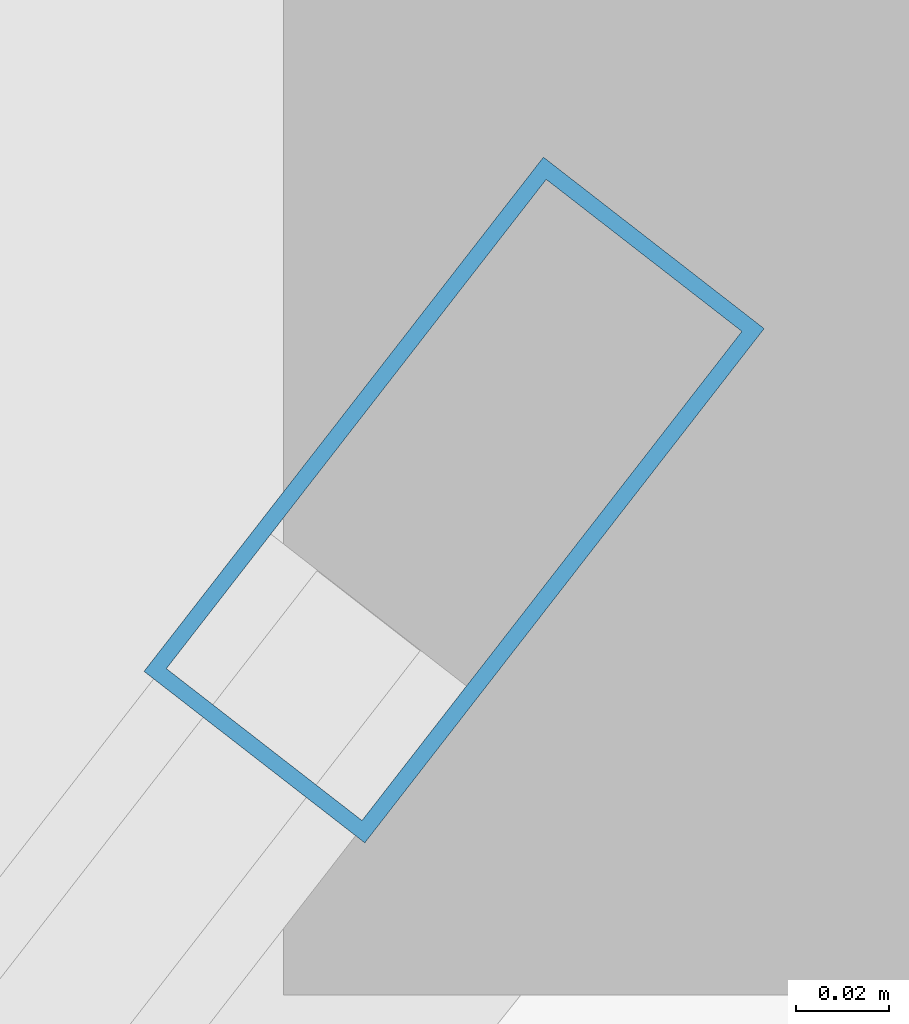
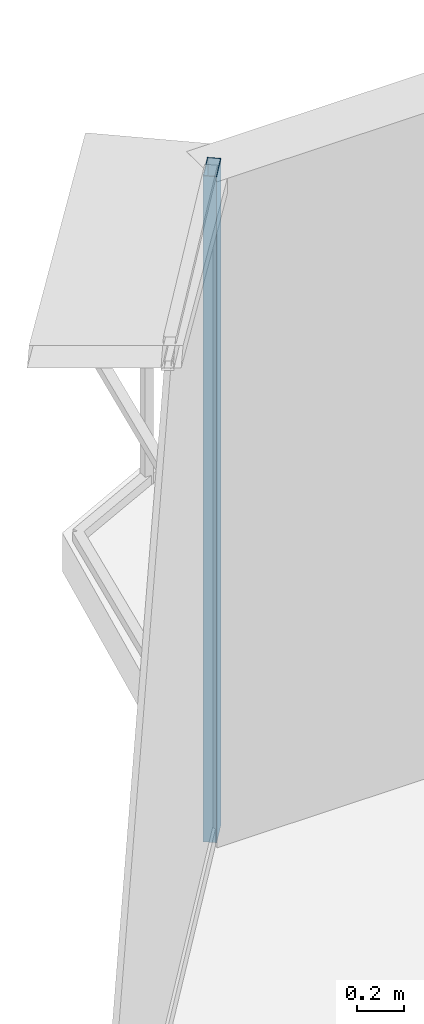
# One storey, part 23 of 33: 1 member, 1 element without a shape of its own.
"""IFC4 building model written with IfcOpenShell, lengths in metres."""

import ifcopenshell
import ifcopenshell.guid

model = None  # the IFC model being written
_history = None  # IfcOwnerHistory: only IFC2X3 demands one
_inside = {}  # id of a spatial element -> (the spatial element, [elements in it])
_under = {}  # id of a project, library or spatial element -> (it, [spatial elements below it])
_declared = {}  # id of a project -> (the project, [libraries it declares])
_typed = {}  # id of a type object -> (the type object, [elements of that type])
_made_of = {}  # id of a material, layer set ... -> (it, [elements and type objects made of it])


def new_model(schema):
    """Start an empty IFC model of exactly this schema.

    Asked for "IFC4X3", IfcOpenShell would pick the latest addendum, in which some entities
    have other attributes; the version numbers below select the first issue.
    IFC2X3 requires an IfcOwnerHistory on every rooted entity: one is made here for all.
    """
    global model, _history
    if schema == "IFC4X3":
        model = ifcopenshell.file(schema_version=(4, 3, 0, 0))
    else:
        model = ifcopenshell.file(schema=schema)
    _inside.clear()
    _under.clear()
    _declared.clear()
    _typed.clear()
    _made_of.clear()
    _history = None
    if model.schema == "IFC2X3":
        org = make("IfcOrganization", Name="unknown")
        user = make(
            "IfcPersonAndOrganization",
            ThePerson=make("IfcPerson", FamilyName="unknown"),
            TheOrganization=org,
        )
        app = make(
            "IfcApplication",
            ApplicationDeveloper=org,
            Version="unknown",
            ApplicationFullName="unknown",
            ApplicationIdentifier="unknown",
        )
        _history = make(
            "IfcOwnerHistory",
            OwningUser=user,
            OwningApplication=app,
            ChangeAction="ADDED",
            CreationDate=0,
        )
    return model


def make(cls, **values):
    """One entity of the class cls with the attributes given. An attribute that is None is left unset."""
    return model.create_entity(
        cls, **{name: value for name, value in values.items() if value is not None}
    )


def rooted(cls, **values):
    """An entity with a GlobalId (a new one), such as an element, a storey or a relation."""
    return make(cls, GlobalId=ifcopenshell.guid.new(), OwnerHistory=_history, **values)


def si_unit(unit_type, name, prefix=None):
    """IfcSIUnit, for example si_unit("LENGTHUNIT", "METRE", prefix="MILLI")."""
    return make("IfcSIUnit", UnitType=unit_type, Prefix=prefix, Name=name)


def assignment(units):
    """IfcUnitAssignment: the units of a project."""
    return None if units is None else make("IfcUnitAssignment", Units=units)


def point(xyz):
    """IfcCartesianPoint."""
    return None if xyz is None else make("IfcCartesianPoint", Coordinates=xyz)


def direction(xyz):
    """IfcDirection."""
    return None if xyz is None else make("IfcDirection", DirectionRatios=xyz)


def frame(location, z_axis=None, x_axis=None):
    """IfcAxis2Placement3D, a coordinate frame: its origin and axes. An axis left out is left unset."""
    return make(
        "IfcAxis2Placement3D",
        Location=point(location),
        Axis=direction(z_axis),
        RefDirection=direction(x_axis),
    )


def frame_2d(location, x_axis=None):
    """IfcAxis2Placement2D, a coordinate frame in the plane: its origin and x axis."""
    return make(
        "IfcAxis2Placement2D", Location=point(location), RefDirection=direction(x_axis)
    )


def origin():
    """The frame at (0, 0, 0) with its axes left unset."""
    return frame((0.0, 0.0, 0.0))


def origin_2d():
    """The frame at (0, 0) in the plane with its x axis left unset."""
    return frame_2d((0.0, 0.0))


def place(relative_to, where):
    """IfcLocalPlacement: puts the frame where relative to a parent placement (None: the world)."""
    return make(
        "IfcLocalPlacement", PlacementRelTo=relative_to, RelativePlacement=where
    )


def context(
    kind, dimensions, precision=None, world=None, true_north=None, identifier=None
):
    """IfcGeometricRepresentationContext, for example the 3D "Model" context."""
    return make(
        "IfcGeometricRepresentationContext",
        ContextIdentifier=identifier,
        ContextType=kind,
        CoordinateSpaceDimension=dimensions,
        Precision=precision,
        WorldCoordinateSystem=world,
        TrueNorth=true_north,
    )


def subcontext(parent, identifier, kind, view, scale=None):
    """IfcGeometricRepresentationSubContext, for example "Body" below "Model"."""
    return make(
        "IfcGeometricRepresentationSubContext",
        ContextIdentifier=identifier,
        ContextType=kind,
        ParentContext=parent,
        TargetScale=scale,
        TargetView=view,
    )


def project(units=None, contexts=None):
    """IfcProject with its units and contexts."""
    return rooted(
        "IfcProject",
        Name="project",
        RepresentationContexts=contexts,
        UnitsInContext=assignment(units),
    )


def spatial(cls, under=None, at=None, **own):
    """A site, building, storey or space (cls), placed at a placement, below another one or the project."""
    s = rooted(cls, ObjectPlacement=at, **own)
    if under is not None:
        _under.setdefault(under.id(), (under, []))[1].append(s)
    return s


def profile(cls, at=None, kind="AREA", **sizes):
    """A parametric profile (cls). Its sizes go by their IFC names, for example OverallWidth=200.0."""
    return make(cls, ProfileType=kind, Position=at, **sizes)


def hollow_rectangle(**sizes):
    """IfcRectangleHollowProfileDef."""
    return profile("IfcRectangleHollowProfileDef", **sizes)


def extrude(swept, where, along, depth):
    """IfcExtrudedAreaSolid: the profile swept, set in the frame where, extruded along a direction by depth."""
    return make(
        "IfcExtrudedAreaSolid",
        SweptArea=swept,
        Position=where,
        ExtrudedDirection=direction(along),
        Depth=depth,
    )


def shape(context_of_items, identifier, shape_type, items):
    """IfcShapeRepresentation: the items that make up one representation, for example the "Body"."""
    return make(
        "IfcShapeRepresentation",
        ContextOfItems=context_of_items,
        RepresentationIdentifier=identifier,
        RepresentationType=shape_type,
        Items=items,
    )


def source(mapping_origin, context_of_items, identifier, shape_type, items):
    """IfcRepresentationMap: a shape defined once, which mapped items show again and again."""
    return make(
        "IfcRepresentationMap",
        MappingOrigin=mapping_origin,
        MappedRepresentation=shape(context_of_items, identifier, shape_type, items),
    )


def transform(
    local_origin,
    x_axis=None,
    y_axis=None,
    z_axis=None,
    scale=None,
    scale2=None,
    scale3=None,
    uniform=True,
):
    """IfcCartesianTransformationOperator3D, or its non-uniform kind. x_axis, y_axis, z_axis: its Axis1, 2, 3."""
    if uniform:
        return make(
            "IfcCartesianTransformationOperator3D",
            Axis1=direction(x_axis),
            Axis2=direction(y_axis),
            LocalOrigin=point(local_origin),
            Scale=scale,
            Axis3=direction(z_axis),
        )
    return make(
        "IfcCartesianTransformationOperator3DnonUniform",
        Axis1=direction(x_axis),
        Axis2=direction(y_axis),
        LocalOrigin=point(local_origin),
        Scale=scale,
        Axis3=direction(z_axis),
        Scale2=scale2,
        Scale3=scale3,
    )


def mapped(mapping_source, mapping_target):
    """IfcMappedItem: shows the shape of a source again, moved by a transform."""
    return make(
        "IfcMappedItem", MappingSource=mapping_source, MappingTarget=mapping_target
    )


def material(Name=None, Category=None):
    """IfcMaterial."""
    return make("IfcMaterial", Name=Name, Category=Category)


def layer(
    of_material, thickness, ventilated=None, Name=None, Category=None, Priority=None
):
    """IfcMaterialLayer: one layer of a wall or slab, of a material (None: an air gap)."""
    return make(
        "IfcMaterialLayer",
        Material=of_material,
        LayerThickness=thickness,
        IsVentilated=ventilated,
        Name=Name,
        Category=Category,
        Priority=Priority,
    )


def layer_set(layers, Name=None):
    """IfcMaterialLayerSet."""
    return make("IfcMaterialLayerSet", MaterialLayers=layers, LayerSetName=Name)


def material_profile(
    of_material, cross_section, Name=None, Category=None, Priority=None
):
    """IfcMaterialProfile: a cross section and its material."""
    return make(
        "IfcMaterialProfile",
        Name=Name,
        Material=of_material,
        Profile=cross_section,
        Priority=Priority,
        Category=Category,
    )


def profile_set(profiles, Name=None, composite=None):
    """IfcMaterialProfileSet."""
    return make(
        "IfcMaterialProfileSet",
        Name=Name,
        MaterialProfiles=profiles,
        CompositeProfile=composite,
    )


def made_of(thing, what):
    """Note that an element or type object is made of a material, layer set ...; save() writes the relation."""
    if what is not None:
        _made_of.setdefault(what.id(), (what, []))[1].append(thing)
    return thing


def type_object(cls, material=None, **own):
    """A type object (cls), such as IfcWallType, which elements share."""
    return made_of(rooted(cls, **own), material)


def element(
    cls,
    number,
    at=None,
    inside=None,
    cuts=None,
    type_object=None,
    material=None,
    context=None,
    identifier="Body",
    shape_type=None,
    held_by="IfcProductDefinitionShape",
    body=None,
    shapes=None,
    **own,
):
    """One element of the class cls, such as IfcWall. Its Tag is "e" and its number.

    at: its placement. inside: the storey or other place that contains it. cuts: it is an
    opening in that element (IfcRelVoidsElement). A single representation is given by context,
    identifier, shape_type and body (its items); several are given by shapes. held_by: the class
    of the entity that holds the representations. save() writes the other relations.
    """
    e = rooted(cls, Tag="e%d" % number, ObjectPlacement=at, **own)
    if body is not None:
        shapes = [shape(context, identifier, shape_type, body)]
    if shapes is not None:
        e.Representation = make(held_by, Representations=shapes)
    if inside is not None:
        _inside.setdefault(inside.id(), (inside, []))[1].append(e)
    if cuts is not None:
        rooted(
            "IfcRelVoidsElement", RelatingBuildingElement=cuts, RelatedOpeningElement=e
        )
    if type_object is not None:
        _typed.setdefault(type_object.id(), (type_object, []))[1].append(e)
    return made_of(e, material)


def aggregate(whole, parts):
    """IfcRelAggregates: a whole, such as a stair, and the parts it consists of."""
    return rooted("IfcRelAggregates", RelatingObject=whole, RelatedObjects=parts)


def save(model, path):
    """Write the relations noted so far, then the file.

    IfcRelAggregates (storeys below a building ...), IfcRelContainedInSpatialStructure (elements
    in a storey), IfcRelDefinesByType, IfcRelAssociatesMaterial and IfcRelDeclares: one each for
    every whole, place, type object, material and project.
    """
    for whole, parts in _under.values():
        aggregate(whole, parts)
    for where, things in _inside.values():
        rooted(
            "IfcRelContainedInSpatialStructure",
            RelatedElements=things,
            RelatingStructure=where,
        )
    for kind, things in _typed.values():
        rooted("IfcRelDefinesByType", RelatedObjects=things, RelatingType=kind)
    for what, things in _made_of.values():
        rooted("IfcRelAssociatesMaterial", RelatedObjects=things, RelatingMaterial=what)
    for by, libraries in _declared.values():
        rooted("IfcRelDeclares", RelatingContext=by, RelatedDefinitions=libraries)
    model.write(path)


model = new_model("IFC4")

# Units and contexts
model_context = context("Model", 3, precision=1e-05, world=origin(), true_north=direction((0.0, 1.0)))
body_context = subcontext(model_context, "Body", "Model", "MODEL_VIEW")
ifc_project = project(units=[si_unit("LENGTHUNIT", "METRE"), si_unit("AREAUNIT", "SQUARE_METRE"), si_unit("VOLUMEUNIT", "CUBIC_METRE"), si_unit("PLANEANGLEUNIT", "RADIAN"), si_unit("MASSUNIT", "GRAM", prefix="KILO"), si_unit("THERMODYNAMICTEMPERATUREUNIT", "KELVIN"), si_unit("POWERUNIT", "WATT")], contexts=[model_context])

# Site, building, storey
site_placement = place(None, origin())
site = spatial("IfcSite", under=ifc_project, at=site_placement, CompositionType="ELEMENT")
building_placement = place(site_placement, origin())
building = spatial("IfcBuilding", under=site, at=building_placement, Name="Yunzhuo Pagoda Commons", CompositionType="ELEMENT")
storey_placement = place(building_placement, frame((0.0, 0.0, 311.1298828125)))
storey = spatial("IfcBuildingStorey", under=building, at=storey_placement, Name="L78", CompositionType="ELEMENT", Elevation=311.1298828125)

# Curtain wall, member
ifc_material = material(Name="Anodized aluminium 6063-T6", Category="aluminium")
ifc_layer = layer(ifc_material, 0.139892578125)
ifc_layer_set = layer_set([ifc_layer], Name="Anodized aluminium 6063-T6")
curtain_wall_type = type_object("IfcCurtainWallType", Name="CW-HI High-Zone Ribbon Curtain Wall", PredefinedType="NOTDEFINED", material=ifc_layer_set)
curtain_wall_placement = place(storey_placement, origin())
curtain_wall = element("IfcCurtainWall", 1, at=curtain_wall_placement, inside=storey, type_object=curtain_wall_type, Name="L78 curtain wall CW-L78-F3B1", PredefinedType="NOTDEFINED")
ifc_material_profile = material_profile(ifc_material, hollow_rectangle(XDim=0.06005859375, YDim=0.139892578125, WallThickness=0.00341796875, at=origin_2d()), Name="Anodized aluminium 6063-T6")
ifc_profile_set = profile_set([ifc_material_profile], Name="Anodized aluminium 6063-T6")
member_type = type_object("IfcMemberType", Name="CW-HI-M Mullion RHS 140x60x3.5", PredefinedType="MULLION", material=ifc_profile_set)
shared_shape = source(origin(), body_context, "Body", "SweptSolid", [
    extrude(hollow_rectangle(XDim=0.06005859375, YDim=0.139892578125, WallThickness=0.00341796875, at=origin_2d()), origin(), (0.0, 0.0, 1.0), 3.47021484375),
])
member_placement = place(storey_placement, frame((44.69580078125, 73.76220703125, 0.0), z_axis=(0.0, 0.0, 1.0), x_axis=(0.789782734714, -0.61338669039, 0.0)))
member = element("IfcMember", 2, at=member_placement, type_object=member_type, Name="CW mullion 1", PredefinedType="MULLION", context=body_context, shape_type="MappedRepresentation", body=[
    mapped(shared_shape, transform((0.0, 0.0, 0.0), scale=1.0)),
])
aggregate(curtain_wall, [member])

save(model, "model.ifc")
